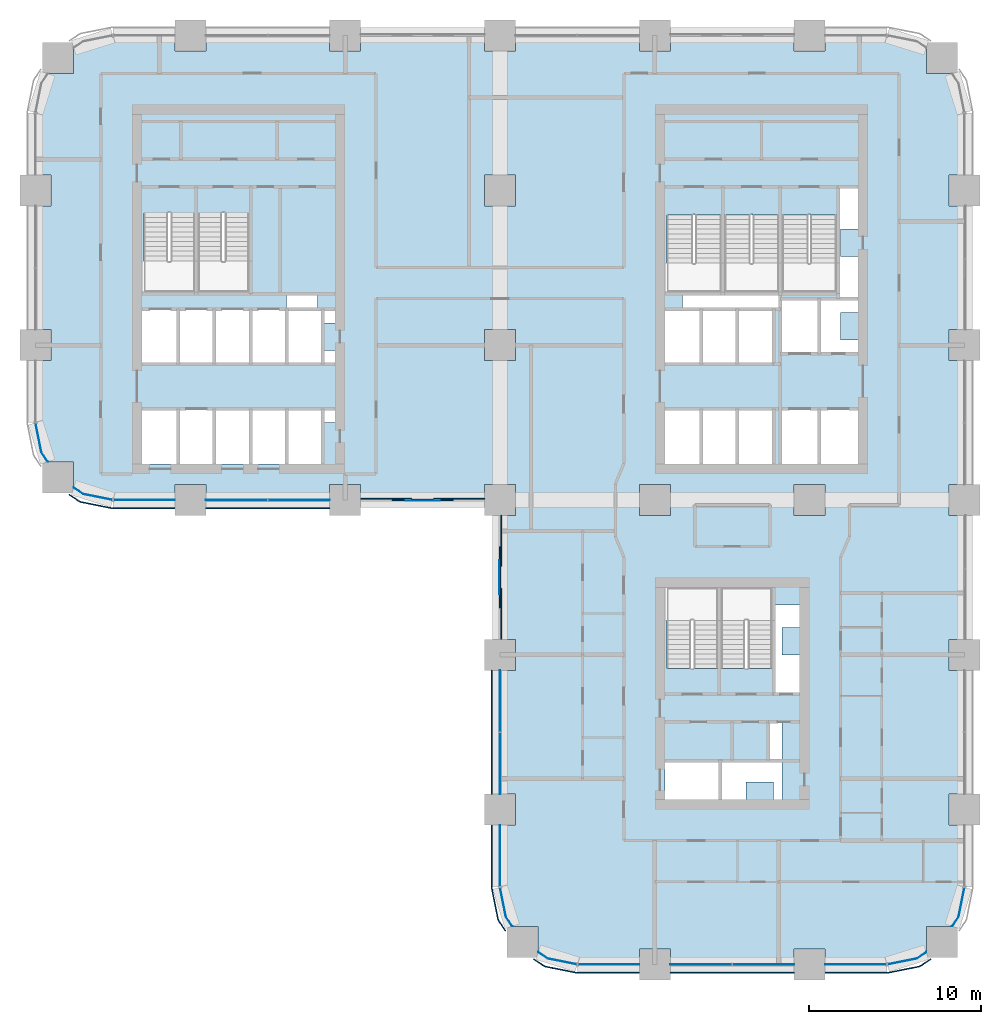
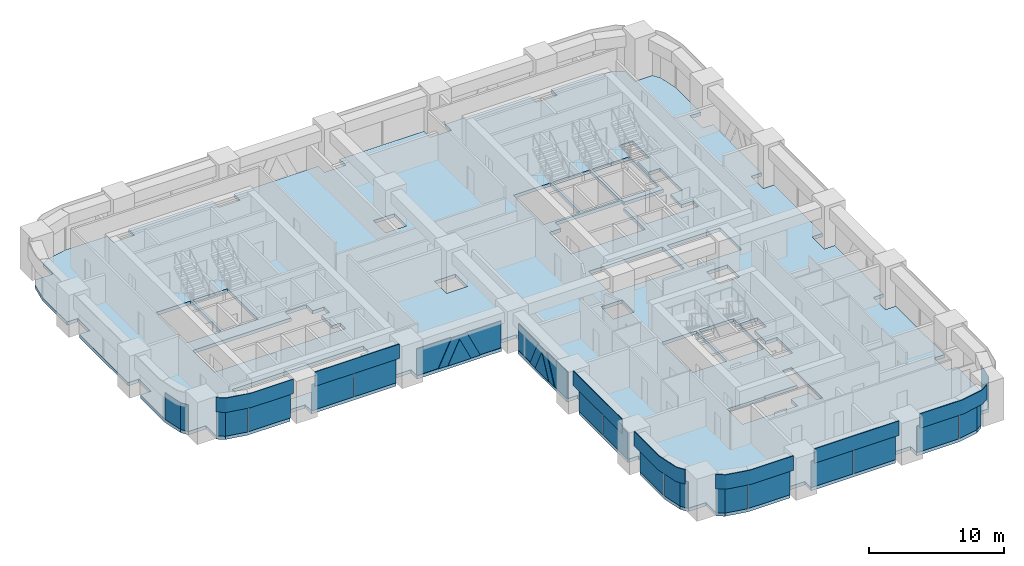
# One storey, part 10 of 24: 31 plates, 1 slab, 11 elements without a shape of their own.
"""IFC4 building model written with IfcOpenShell, lengths in metres."""

from ifc_helpers import new_model, si_unit, direction, frame, origin, origin_2d, place, context, subcontext, project, spatial, polyline, rectangle, outline, extrude, material, layer, layer_set, type_object, element, aggregate, save


model = new_model("IFC4")

# Units and contexts
model_context = context("Model", 3, precision=1e-05, world=origin(), true_north=direction((0.0, 1.0)))
body_context = subcontext(model_context, "Body", "Model", "MODEL_VIEW")
ifc_project = project(units=[si_unit("LENGTHUNIT", "METRE"), si_unit("AREAUNIT", "SQUARE_METRE"), si_unit("VOLUMEUNIT", "CUBIC_METRE"), si_unit("PLANEANGLEUNIT", "RADIAN"), si_unit("MASSUNIT", "GRAM", prefix="KILO")], contexts=[model_context])

# Site, building, storey
site_placement = place(None, origin())
site = spatial("IfcSite", under=ifc_project, at=site_placement, CompositionType="ELEMENT")
building_placement = place(site_placement, origin())
building = spatial("IfcBuilding", under=site, at=building_placement, Name="Tessera Arch", CompositionType="ELEMENT")
storey_placement = place(building_placement, frame((0.0, 0.0, 112.0)))
storey = spatial("IfcBuildingStorey", under=building, at=storey_placement, Name="L26", CompositionType="ELEMENT", Elevation=112.0)

# Curtain wall, plates
ifc_material_1 = material(Name="CW1 curtain wall")
curtain_wall_type_1 = type_object("IfcCurtainWallType", Name="CW1 curtain wall", PredefinedType="NOTDEFINED", material=ifc_material_1)
curtain_wall_1_placement = place(storey_placement, origin())
curtain_wall_1 = element("IfcCurtainWall", 1, at=curtain_wall_1_placement, inside=storey, type_object=curtain_wall_type_1, Name="CW1 curtain wall S27.0/1 L26", PredefinedType="NOTDEFINED")
ifc_material_2 = material(Name="Clear low-e glass", Category="glass")
ifc_material_3 = material(Name="Clear low-e glass", Category="glass")
ifc_layer_1 = layer(ifc_material_3, 0.028076171875)
ifc_layer_set_1 = layer_set([ifc_layer_1], Name="CW1 glass panel")
plate_type_1 = type_object("IfcPlateType", Name="CW1 glass panel", PredefinedType="CURTAIN_PANEL", material=ifc_layer_set_1)
plate_1_placement = place(storey_placement, frame((11.68505859375, 27.0, 0.0), z_axis=(0.0, 0.0, 1.0), x_axis=(1.0, 0.0, 0.0)))
plate_1 = element("IfcPlate", 2, at=plate_1_placement, type_object=plate_type_1, material=ifc_material_2, Name="CW1 glass panel S27.0/1 1.1.1", PredefinedType="CURTAIN_PANEL", context=body_context, shape_type="SweptSolid", body=[
    extrude(rectangle(XDim=3.570068359375, YDim=0.028076171875, at=origin_2d()), origin(), (0.0, 0.0, 1.0), 2.39990234375),
])
plate_2_placement = place(storey_placement, frame((15.31494140625, 27.0, 0.0), z_axis=(0.0, 0.0, 1.0), x_axis=(1.0, 0.0, 0.0)))
plate_2 = element("IfcPlate", 3, at=plate_2_placement, type_object=plate_type_1, material=ifc_material_2, Name="CW1 glass panel S27.0/1 1.2.1", PredefinedType="CURTAIN_PANEL", context=body_context, shape_type="SweptSolid", body=[
    extrude(rectangle(XDim=3.570068359375, YDim=0.028076171875, at=origin_2d()), origin(), (0.0, 0.0, 1.0), 2.39990234375),
])

curtain_wall_2_placement = place(storey_placement, origin())
curtain_wall_2 = element("IfcCurtainWall", 4, at=curtain_wall_2_placement, inside=storey, type_object=curtain_wall_type_1, Name="CW1 curtain wall W27.0/1 L26", PredefinedType="NOTDEFINED")
plate_3_placement = place(storey_placement, frame((27.0, 15.31494140625, 0.0), z_axis=(0.0, 0.0, 1.0), x_axis=(0.0, -1.0, 0.0)))
plate_3 = element("IfcPlate", 5, at=plate_3_placement, type_object=plate_type_1, material=ifc_material_2, Name="CW1 glass panel W27.0/1 1.1.1", PredefinedType="CURTAIN_PANEL", context=body_context, shape_type="SweptSolid", body=[
    extrude(rectangle(XDim=3.570068359375, YDim=0.028076171875, at=origin_2d()), origin(), (0.0, 0.0, 1.0), 2.39990234375),
])
plate_4_placement = place(storey_placement, frame((27.0, 11.68505859375, 0.0), z_axis=(0.0, 0.0, 1.0), x_axis=(0.0, -1.0, 0.0)))
plate_4 = element("IfcPlate", 6, at=plate_4_placement, type_object=plate_type_1, material=ifc_material_2, Name="CW1 glass panel W27.0/1 1.2.1", PredefinedType="CURTAIN_PANEL", context=body_context, shape_type="SweptSolid", body=[
    extrude(rectangle(XDim=3.570068359375, YDim=0.028076171875, at=origin_2d()), origin(), (0.0, 0.0, 1.0), 2.39990234375),
])

curtain_wall_3_placement = place(storey_placement, origin())
curtain_wall_3 = element("IfcCurtainWall", 7, at=curtain_wall_3_placement, inside=storey, type_object=curtain_wall_type_1, Name="CW1 curtain wall S0.27/1 L26", PredefinedType="NOTDEFINED")
plate_5_placement = place(storey_placement, frame((38.68505859375, 0.0, 0.0), z_axis=(0.0, 0.0, 1.0), x_axis=(1.0, 0.0, 0.0)))
plate_5 = element("IfcPlate", 8, at=plate_5_placement, type_object=plate_type_1, material=ifc_material_2, Name="CW1 glass panel S0.27/1 1.1.1", PredefinedType="CURTAIN_PANEL", context=body_context, shape_type="SweptSolid", body=[
    extrude(rectangle(XDim=3.570068359375, YDim=0.028076171875, at=origin_2d()), origin(), (0.0, 0.0, 1.0), 2.39990234375),
])
plate_6_placement = place(storey_placement, frame((42.31494140625, 0.0, 0.0), z_axis=(0.0, 0.0, 1.0), x_axis=(1.0, 0.0, 0.0)))
plate_6 = element("IfcPlate", 9, at=plate_6_placement, type_object=plate_type_1, material=ifc_material_2, Name="CW1 glass panel S0.27/1 1.2.1", PredefinedType="CURTAIN_PANEL", context=body_context, shape_type="SweptSolid", body=[
    extrude(rectangle(XDim=3.570068359375, YDim=0.028076171875, at=origin_2d()), origin(), (0.0, 0.0, 1.0), 2.39990234375),
])

# Plate
ifc_material_4 = material(Name="Pale anodised aluminium panel", Category="aluminium")
ifc_layer_2 = layer(ifc_material_4, 0.06005859375)
ifc_layer_set_2 = layer_set([ifc_layer_2], Name="CW1 spandrel panel")
plate_type_2 = type_object("IfcPlateType", Name="CW1 spandrel panel", PredefinedType="CURTAIN_PANEL", material=ifc_layer_set_2)
plate_7_placement = place(storey_placement, frame((13.5, 26.52001953125, 2.5), z_axis=(0.0, 0.0, 1.0), x_axis=(1.0, 0.0, 0.0)))
plate_7 = element("IfcPlate", 10, at=plate_7_placement, type_object=plate_type_2, Name="CW1 spandrel panel S27.0/1", PredefinedType="CURTAIN_PANEL", context=body_context, shape_type="SweptSolid", body=[
    extrude(rectangle(XDim=7.199951171875, YDim=0.06005859375, at=origin_2d()), origin(), (0.0, 0.0, 1.0), 1.300048828125),
])

aggregate(curtain_wall_1, [plate_1, plate_2, plate_7])

plate_8_placement = place(storey_placement, frame((26.52001953125, 13.5, 2.5), z_axis=(0.0, 0.0, 1.0), x_axis=(0.0, -1.0, 0.0)))
plate_8 = element("IfcPlate", 11, at=plate_8_placement, type_object=plate_type_2, Name="CW1 spandrel panel W27.0/1", PredefinedType="CURTAIN_PANEL", context=body_context, shape_type="SweptSolid", body=[
    extrude(rectangle(XDim=7.199951171875, YDim=0.06005859375, at=origin_2d()), origin(), (0.0, 0.0, 1.0), 1.300048828125),
])

aggregate(curtain_wall_2, [plate_3, plate_4, plate_8])

plate_9_placement = place(storey_placement, frame((40.5, -0.47998046875, 2.5), z_axis=(0.0, 0.0, 1.0), x_axis=(1.0, 0.0, 0.0)))
plate_9 = element("IfcPlate", 12, at=plate_9_placement, type_object=plate_type_2, Name="CW1 spandrel panel S0.27/1", PredefinedType="CURTAIN_PANEL", context=body_context, shape_type="SweptSolid", body=[
    extrude(rectangle(XDim=7.199951171875, YDim=0.06005859375, at=origin_2d()), origin(), (0.0, 0.0, 1.0), 1.300048828125),
])

aggregate(curtain_wall_3, [plate_5, plate_6, plate_9])

# Curtain wall, plate
ifc_material_5 = material(Name="CW2 curtain wall")
curtain_wall_type_2 = type_object("IfcCurtainWallType", Name="CW2 curtain wall", PredefinedType="NOTDEFINED", material=ifc_material_5)
curtain_wall_4_placement = place(storey_placement, origin())
curtain_wall_4 = element("IfcCurtainWall", 13, at=curtain_wall_4_placement, inside=storey, type_object=curtain_wall_type_2, Name="CW2 curtain wall W0.27/2 L26", PredefinedType="NOTDEFINED")
ifc_material_6 = material(Name="Clear low-e glass", Category="glass")
ifc_layer_3 = layer(ifc_material_6, 0.028076171875)
ifc_layer_set_3 = layer_set([ifc_layer_3], Name="CW2 glass panel")
plate_type_3 = type_object("IfcPlateType", Name="CW2 glass panel", PredefinedType="CURTAIN_PANEL", material=ifc_layer_set_3)
plate_10_placement = place(storey_placement, origin())
plate_10 = element("IfcPlate", 14, at=plate_10_placement, type_object=plate_type_3, material=ifc_material_2, Name="CW2 curved glass panel W0.27/2 2.1", PredefinedType="CURTAIN_PANEL", context=body_context, shape_type="SweptSolid", body=[
    extrude(outline(polyline([(0.355712890625, 29.783447265625), (0.021484375, 31.46337890625), (-0.005859375, 31.4580078125), (0.329345703125, 29.7724609375), (0.705078125, 29.210205078125), (0.728271484375, 29.225830078125), (0.355712890625, 29.783447265625)])), origin(), (0.0, 0.0, 1.0), 2.39990234375),
])
aggregate(curtain_wall_4, [plate_10])

# Curtain wall, plates
curtain_wall_5_placement = place(storey_placement, origin())
curtain_wall_5 = element("IfcCurtainWall", 15, at=curtain_wall_5_placement, inside=storey, type_object=curtain_wall_type_2, Name="CW2 curtain wall S27.0/0 L26", PredefinedType="NOTDEFINED")
plate_11_placement = place(storey_placement, frame((6.320068359375, 27.0, 0.0), z_axis=(0.0, 0.0, 1.0), x_axis=(1.0, 0.0, 0.0)))
plate_11 = element("IfcPlate", 16, at=plate_11_placement, type_object=plate_type_3, material=ifc_material_2, Name="CW2 glass panel S27.0/0 1.1", PredefinedType="CURTAIN_PANEL", context=body_context, shape_type="SweptSolid", body=[
    extrude(rectangle(XDim=3.56005859375, YDim=0.028076171875, at=origin_2d()), origin(), (0.0, 0.0, 1.0), 2.39990234375),
])
plate_12_placement = place(storey_placement, origin())
plate_12 = element("IfcPlate", 17, at=plate_12_placement, type_object=plate_type_3, material=ifc_material_2, Name="CW2 curved glass panel S27.0/0 2.1", PredefinedType="CURTAIN_PANEL", context=body_context, shape_type="SweptSolid", body=[
    extrude(outline(polyline([(2.783447265625, 27.355712890625), (2.225830078125, 27.728271484375), (2.210205078125, 27.705078125), (2.7724609375, 27.329345703125), (4.4580078125, 26.994140625), (4.46337890625, 27.021484375), (2.783447265625, 27.355712890625)])), origin(), (0.0, 0.0, 1.0), 2.39990234375),
])

curtain_wall_6_placement = place(storey_placement, origin())
curtain_wall_6 = element("IfcCurtainWall", 18, at=curtain_wall_6_placement, inside=storey, type_object=curtain_wall_type_2, Name="CW2 curtain wall W27.0/2 L26", PredefinedType="NOTDEFINED")
plate_13_placement = place(storey_placement, frame((27.0, 6.320068359375, 0.0), z_axis=(0.0, 0.0, 1.0), x_axis=(0.0, -1.0, 0.0)))
plate_13 = element("IfcPlate", 19, at=plate_13_placement, type_object=plate_type_3, material=ifc_material_2, Name="CW2 glass panel W27.0/2 1.1", PredefinedType="CURTAIN_PANEL", context=body_context, shape_type="SweptSolid", body=[
    extrude(rectangle(XDim=3.56005859375, YDim=0.028076171875, at=origin_2d()), origin(), (0.0, 0.0, 1.0), 2.39990234375),
])
plate_14_placement = place(storey_placement, origin())
plate_14 = element("IfcPlate", 20, at=plate_14_placement, type_object=plate_type_3, material=ifc_material_2, Name="CW2 curved glass panel W27.0/2 2.1", PredefinedType="CURTAIN_PANEL", context=body_context, shape_type="SweptSolid", body=[
    extrude(outline(polyline([(27.355712890625, 2.783447265625), (27.021484375, 4.46337890625), (26.994140625, 4.4580078125), (27.329345703125, 2.7724609375), (27.705078125, 2.210205078125), (27.728271484375, 2.225830078125), (27.355712890625, 2.783447265625)])), origin(), (0.0, 0.0, 1.0), 2.39990234375),
])

curtain_wall_7_placement = place(storey_placement, origin())
curtain_wall_7 = element("IfcCurtainWall", 21, at=curtain_wall_7_placement, inside=storey, type_object=curtain_wall_type_2, Name="CW2 curtain wall S0.27/0 L26", PredefinedType="NOTDEFINED")
plate_15_placement = place(storey_placement, frame((33.320068359375, 0.0, 0.0), z_axis=(0.0, 0.0, 1.0), x_axis=(1.0, 0.0, 0.0)))
plate_15 = element("IfcPlate", 22, at=plate_15_placement, type_object=plate_type_3, material=ifc_material_2, Name="CW2 glass panel S0.27/0 1.1", PredefinedType="CURTAIN_PANEL", context=body_context, shape_type="SweptSolid", body=[
    extrude(rectangle(XDim=3.56005859375, YDim=0.028076171875, at=origin_2d()), origin(), (0.0, 0.0, 1.0), 2.39990234375),
])
plate_16_placement = place(storey_placement, origin())
plate_16 = element("IfcPlate", 23, at=plate_16_placement, type_object=plate_type_3, material=ifc_material_2, Name="CW2 curved glass panel S0.27/0 2.1", PredefinedType="CURTAIN_PANEL", context=body_context, shape_type="SweptSolid", body=[
    extrude(outline(polyline([(29.783447265625, 0.355712890625), (29.225830078125, 0.728271484375), (29.210205078125, 0.705078125), (29.7724609375, 0.329345703125), (31.4580078125, -0.005859375), (31.46337890625, 0.021484375), (29.783447265625, 0.355712890625)])), origin(), (0.0, 0.0, 1.0), 2.39990234375),
])

curtain_wall_8_placement = place(storey_placement, origin())
curtain_wall_8 = element("IfcCurtainWall", 24, at=curtain_wall_8_placement, inside=storey, type_object=curtain_wall_type_2, Name="CW2 curtain wall S0.27/2 L26", PredefinedType="NOTDEFINED")
plate_17_placement = place(storey_placement, frame((47.679931640625, 0.0, 0.0), z_axis=(0.0, 0.0, 1.0), x_axis=(1.0, 0.0, 0.0)))
plate_17 = element("IfcPlate", 25, at=plate_17_placement, type_object=plate_type_3, material=ifc_material_2, Name="CW2 glass panel S0.27/2 1.1", PredefinedType="CURTAIN_PANEL", context=body_context, shape_type="SweptSolid", body=[
    extrude(rectangle(XDim=3.56005859375, YDim=0.028076171875, at=origin_2d()), origin(), (0.0, 0.0, 1.0), 2.39990234375),
])
plate_18_placement = place(storey_placement, origin())
plate_18 = element("IfcPlate", 26, at=plate_18_placement, type_object=plate_type_3, material=ifc_material_2, Name="CW2 curved glass panel S0.27/2 2.1", PredefinedType="CURTAIN_PANEL", context=body_context, shape_type="SweptSolid", body=[
    extrude(outline(polyline([(51.216552734375, 0.355712890625), (49.53662109375, 0.021484375), (49.5419921875, -0.005859375), (51.2275390625, 0.329345703125), (51.789794921875, 0.705078125), (51.774169921875, 0.728271484375), (51.216552734375, 0.355712890625)])), origin(), (0.0, 0.0, 1.0), 2.39990234375),
])

# Curtain wall, plate
curtain_wall_9_placement = place(storey_placement, origin())
curtain_wall_9 = element("IfcCurtainWall", 27, at=curtain_wall_9_placement, inside=storey, type_object=curtain_wall_type_2, Name="CW2 curtain wall E54.0/0 L26", PredefinedType="NOTDEFINED")
plate_19_placement = place(storey_placement, origin())
plate_19 = element("IfcPlate", 28, at=plate_19_placement, type_object=plate_type_3, material=ifc_material_2, Name="CW2 curved glass panel E54.0/0 2.1", PredefinedType="CURTAIN_PANEL", context=body_context, shape_type="SweptSolid", body=[
    extrude(outline(polyline([(53.644287109375, 2.783447265625), (53.271728515625, 2.225830078125), (53.294921875, 2.210205078125), (53.670654296875, 2.7724609375), (54.005859375, 4.4580078125), (53.978515625, 4.46337890625), (53.644287109375, 2.783447265625)])), origin(), (0.0, 0.0, 1.0), 2.39990234375),
])
aggregate(curtain_wall_9, [plate_19])

# Plate
ifc_material_7 = material(Name="Pale anodised aluminium panel", Category="aluminium")
ifc_layer_4 = layer(ifc_material_7, 0.06005859375)
ifc_layer_set_4 = layer_set([ifc_layer_4], Name="CW2 spandrel panel")
plate_type_4 = type_object("IfcPlateType", Name="CW2 spandrel panel", PredefinedType="CURTAIN_PANEL", material=ifc_layer_set_4)
plate_20_placement = place(storey_placement, frame((0.0, 0.0, 2.5)))
plate_20 = element("IfcPlate", 29, at=plate_20_placement, type_object=plate_type_4, Name="CW2 spandrel panel S27.0/0", PredefinedType="CURTAIN_PANEL", context=body_context, shape_type="SweptSolid", body=[
    extrude(outline(polyline([(2.52734375, 26.96875), (1.968017578125, 27.342529296875), (1.9345703125, 27.292724609375), (2.4951171875, 26.91796875), (2.537353515625, 26.892822265625), (2.582763671875, 26.871337890625), (2.6298828125, 26.8544921875), (2.677734375, 26.842529296875), (4.401123046875, 26.499755859375), (4.449951171875, 26.492431640625), (4.499267578125, 26.489990234375), (8.10009765625, 26.489990234375), (8.10009765625, 26.550048828125), (4.500732421875, 26.550048828125), (4.455810546875, 26.55224609375), (4.411376953125, 26.558837890625), (2.69091796875, 26.90087890625), (2.647216796875, 26.911865234375), (2.605712890625, 26.9267578125), (2.565673828125, 26.94580078125), (2.52734375, 26.96875)])), origin(), (0.0, 0.0, 1.0), 1.300048828125),
])

aggregate(curtain_wall_5, [plate_11, plate_12, plate_20])

plate_21_placement = place(storey_placement, frame((0.0, 0.0, 2.5)))
plate_21 = element("IfcPlate", 30, at=plate_21_placement, type_object=plate_type_4, Name="CW2 spandrel panel W27.0/2", PredefinedType="CURTAIN_PANEL", context=body_context, shape_type="SweptSolid", body=[
    extrude(outline(polyline([(26.550048828125, 4.500732421875), (26.550048828125, 8.10009765625), (26.489990234375, 8.10009765625), (26.489990234375, 4.499267578125), (26.492431640625, 4.449951171875), (26.499755859375, 4.401123046875), (26.842529296875, 2.677734375), (26.8544921875, 2.6298828125), (26.871337890625, 2.582763671875), (26.892822265625, 2.537353515625), (26.91796875, 2.4951171875), (27.292724609375, 1.9345703125), (27.342529296875, 1.968017578125), (26.96875, 2.52734375), (26.94580078125, 2.565673828125), (26.9267578125, 2.605712890625), (26.911865234375, 2.647216796875), (26.90087890625, 2.69091796875), (26.558837890625, 4.411376953125), (26.55224609375, 4.455810546875), (26.550048828125, 4.500732421875)])), origin(), (0.0, 0.0, 1.0), 1.300048828125),
])

aggregate(curtain_wall_6, [plate_13, plate_14, plate_21])

plate_22_placement = place(storey_placement, frame((0.0, 0.0, 2.5)))
plate_22 = element("IfcPlate", 31, at=plate_22_placement, type_object=plate_type_4, Name="CW2 spandrel panel S0.27/0", PredefinedType="CURTAIN_PANEL", context=body_context, shape_type="SweptSolid", body=[
    extrude(outline(polyline([(29.52734375, -0.03125), (28.968017578125, 0.342529296875), (28.9345703125, 0.292724609375), (29.4951171875, -0.08203125), (29.537353515625, -0.107177734375), (29.582763671875, -0.128662109375), (29.6298828125, -0.1455078125), (29.677734375, -0.157470703125), (31.401123046875, -0.500244140625), (31.449951171875, -0.507568359375), (31.499267578125, -0.510009765625), (35.10009765625, -0.510009765625), (35.10009765625, -0.449951171875), (31.500732421875, -0.449951171875), (31.455810546875, -0.44775390625), (31.411376953125, -0.441162109375), (29.69091796875, -0.09912109375), (29.647216796875, -0.088134765625), (29.605712890625, -0.0732421875), (29.565673828125, -0.05419921875), (29.52734375, -0.03125)])), origin(), (0.0, 0.0, 1.0), 1.300048828125),
])

aggregate(curtain_wall_7, [plate_15, plate_16, plate_22])

plate_23_placement = place(storey_placement, frame((0.0, 0.0, 2.5)))
plate_23 = element("IfcPlate", 32, at=plate_23_placement, type_object=plate_type_4, Name="CW2 spandrel panel S0.27/2", PredefinedType="CURTAIN_PANEL", context=body_context, shape_type="SweptSolid", body=[
    extrude(outline(polyline([(49.499267578125, -0.449951171875), (45.89990234375, -0.449951171875), (45.89990234375, -0.510009765625), (49.500732421875, -0.510009765625), (49.550048828125, -0.507568359375), (49.598876953125, -0.500244140625), (51.322265625, -0.157470703125), (51.3701171875, -0.1455078125), (51.417236328125, -0.128662109375), (51.462646484375, -0.107177734375), (51.5048828125, -0.08203125), (52.0654296875, 0.292724609375), (52.031982421875, 0.342529296875), (51.47265625, -0.03125), (51.434326171875, -0.05419921875), (51.394287109375, -0.0732421875), (51.352783203125, -0.088134765625), (51.30908203125, -0.09912109375), (49.588623046875, -0.441162109375), (49.544189453125, -0.44775390625), (49.499267578125, -0.449951171875)])), origin(), (0.0, 0.0, 1.0), 1.300048828125),
])

aggregate(curtain_wall_8, [plate_17, plate_18, plate_23])

# Curtain wall, plates
ifc_material_8 = material(Name="CW3 curtain wall")
curtain_wall_type_3 = type_object("IfcCurtainWallType", Name="CW3 curtain wall", PredefinedType="NOTDEFINED", material=ifc_material_8)
curtain_wall_10_placement = place(storey_placement, origin())
curtain_wall_10 = element("IfcCurtainWall", 33, at=curtain_wall_10_placement, inside=storey, type_object=curtain_wall_type_3, Name="CW3 curtain wall S27.0/2 L26", PredefinedType="NOTDEFINED")
ifc_material_9 = material(Name="Pale anodised aluminium panel", Category="aluminium")
ifc_layer_5 = layer(ifc_material_9, 0.06005859375)
ifc_layer_set_5 = layer_set([ifc_layer_5], Name="CW3 diagonal panel")
plate_type_5 = type_object("IfcPlateType", Name="CW3 diagonal panel", PredefinedType="CURTAIN_PANEL", material=ifc_layer_set_5)
plate_24_placement = place(storey_placement, frame((23.14013671875, 26.969970703125, 2.39990234375), z_axis=(0.0, -1.0, 0.0), x_axis=(-1.0, 0.0, 0.0)))
plate_24 = element("IfcPlate", 34, at=plate_24_placement, type_object=plate_type_5, Name="CW3 diagonal panel S27.0/2 1", PredefinedType="CURTAIN_PANEL", context=body_context, shape_type="SweptSolid", body=[
    extrude(outline(polyline([(0.0, 0.0), (1.2802734375, 0.0), (2.43212890625, 2.39990234375), (1.632080078125, 2.39990234375), (0.64013671875, 0.33349609375), (-0.351806640625, 2.39990234375), (-1.15185546875, 2.39990234375), (0.0, 0.0)])), origin(), (0.0, 0.0, -1.0), 0.06005859375),
])
plate_25_placement = place(storey_placement, frame((18.89990234375, 27.030029296875, 0.0), z_axis=(0.0, -1.0, 0.0), x_axis=(1.0, 0.0, 0.0)))
plate_25 = element("IfcPlate", 35, at=plate_25_placement, type_object=plate_type_5, Name="CW3 diagonal panel S27.0/2 2", PredefinedType="CURTAIN_PANEL", context=body_context, shape_type="SweptSolid", body=[
    extrude(outline(polyline([(0.0, 0.0), (1.80810546875, 0.0), (2.9599609375, 2.39990234375), (0.0, 2.39990234375), (0.0, 0.0)])), origin(), (0.0, 0.0, -1.0), 0.06005859375),
])
plate_26_placement = place(storey_placement, frame((26.10009765625, 27.030029296875, 2.39990234375), z_axis=(0.0, -1.0, 0.0), x_axis=(-1.0, 0.0, 0.0)))
plate_26 = element("IfcPlate", 36, at=plate_26_placement, type_object=plate_type_5, Name="CW3 diagonal panel S27.0/2 3", PredefinedType="CURTAIN_PANEL", context=body_context, shape_type="SweptSolid", body=[
    extrude(outline(polyline([(0.0, 0.0), (2.9599609375, 0.0), (1.80810546875, 2.39990234375), (0.0, 2.39990234375), (0.0, 0.0)])), origin(), (0.0, 0.0, -1.0), 0.06005859375),
])

curtain_wall_11_placement = place(storey_placement, origin())
curtain_wall_11 = element("IfcCurtainWall", 37, at=curtain_wall_11_placement, inside=storey, type_object=curtain_wall_type_3, Name="CW3 curtain wall W27.0/0 L26", PredefinedType="NOTDEFINED")
plate_27_placement = place(storey_placement, frame((26.969970703125, 21.85986328125, 2.39990234375), z_axis=(-1.0, 0.0, 0.0), x_axis=(0.0, 1.0, 0.0)))
plate_27 = element("IfcPlate", 38, at=plate_27_placement, type_object=plate_type_5, Name="CW3 diagonal panel W27.0/0 1", PredefinedType="CURTAIN_PANEL", context=body_context, shape_type="SweptSolid", body=[
    extrude(outline(polyline([(0.0, 0.0), (1.2802734375, 0.0), (2.43212890625, 2.39990234375), (1.632080078125, 2.39990234375), (0.64013671875, 0.33349609375), (-0.351806640625, 2.39990234375), (-1.15185546875, 2.39990234375), (0.0, 0.0)])), origin(), (0.0, 0.0, -1.0), 0.06005859375),
])
plate_28_placement = place(storey_placement, frame((27.030029296875, 26.10009765625, 0.0), z_axis=(-1.0, 0.0, 0.0), x_axis=(0.0, -1.0, 0.0)))
plate_28 = element("IfcPlate", 39, at=plate_28_placement, type_object=plate_type_5, Name="CW3 diagonal panel W27.0/0 2", PredefinedType="CURTAIN_PANEL", context=body_context, shape_type="SweptSolid", body=[
    extrude(outline(polyline([(0.0, 0.0), (1.80810546875, 0.0), (2.9599609375, 2.39990234375), (0.0, 2.39990234375), (0.0, 0.0)])), origin(), (0.0, 0.0, -1.0), 0.06005859375),
])
plate_29_placement = place(storey_placement, frame((27.030029296875, 18.89990234375, 2.39990234375), z_axis=(-1.0, 0.0, 0.0), x_axis=(0.0, 1.0, 0.0)))
plate_29 = element("IfcPlate", 40, at=plate_29_placement, type_object=plate_type_5, Name="CW3 diagonal panel W27.0/0 3", PredefinedType="CURTAIN_PANEL", context=body_context, shape_type="SweptSolid", body=[
    extrude(outline(polyline([(0.0, 0.0), (2.9599609375, 0.0), (1.80810546875, 2.39990234375), (0.0, 2.39990234375), (0.0, 0.0)])), origin(), (0.0, 0.0, -1.0), 0.06005859375),
])

# Plate
ifc_material_10 = material(Name="Clear low-e glass", Category="glass")
ifc_layer_6 = layer(ifc_material_10, 0.028076171875)
ifc_layer_set_6 = layer_set([ifc_layer_6], Name="CW3 glass panel")
plate_type_6 = type_object("IfcPlateType", Name="CW3 glass panel", PredefinedType="CURTAIN_PANEL", material=ifc_layer_set_6)
plate_30_placement = place(storey_placement, frame((21.508056640625, 26.94189453125, 0.0), z_axis=(0.0, -1.0, 0.0), x_axis=(1.0, 0.0, 0.0)))
plate_30 = element("IfcPlate", 41, at=plate_30_placement, type_object=plate_type_6, material=ifc_material_2, Name="CW3 triangulated glass panel S27.0/2 1", PredefinedType="CURTAIN_PANEL", context=body_context, shape_type="SweptSolid", body=[
    extrude(outline(polyline([(0.0, 0.0), (1.98388671875, 0.0), (0.991943359375, 2.06640625), (0.0, 0.0)])), origin(), (0.0, 0.0, -1.0), 0.028076171875),
])

aggregate(curtain_wall_10, [plate_30, plate_24, plate_25, plate_26])

plate_31_placement = place(storey_placement, frame((26.94189453125, 23.491943359375, 0.0), z_axis=(-1.0, 0.0, 0.0), x_axis=(0.0, -1.0, 0.0)))
plate_31 = element("IfcPlate", 42, at=plate_31_placement, type_object=plate_type_6, material=ifc_material_2, Name="CW3 triangulated glass panel W27.0/0 1", PredefinedType="CURTAIN_PANEL", context=body_context, shape_type="SweptSolid", body=[
    extrude(outline(polyline([(0.0, 0.0), (1.98388671875, 0.0), (0.991943359375, 2.06640625), (0.0, 0.0)])), origin(), (0.0, 0.0, -1.0), 0.028076171875),
])

aggregate(curtain_wall_11, [plate_31, plate_27, plate_28, plate_29])

# Slab
ifc_material_11 = material(Name="Concrete C40/50", Category="concrete")
ifc_layer_7 = layer(ifc_material_11, 0.300048828125)
ifc_layer_set_7 = layer_set([ifc_layer_7], Name="Floor slab 300 Concrete C40/50")
slab_type = type_object("IfcSlabType", Name="Floor slab 300 Concrete C40/50", PredefinedType="FLOOR", material=ifc_layer_set_7)
slab_placement = place(storey_placement, frame((0.0, 0.0, -0.300048828125)))
element("IfcSlab", 43, at=slab_placement, inside=storey, type_object=slab_type, Name="Floor slab L26 1", PredefinedType="FLOOR", context=body_context, shape_type="SweptSolid", body=[
    extrude(outline(polyline([(49.5, 54.0), (51.22216796875, 53.657470703125), (51.781982421875, 53.283447265625), (51.781982421875, 51.781982421875), (53.283447265625, 51.781982421875), (53.657470703125, 51.22216796875), (54.0, 49.5), (54.0, 45.89990234375), (53.10009765625, 45.89990234375), (53.10009765625, 44.10009765625), (54.0, 44.10009765625), (54.0, 36.89990234375), (53.10009765625, 36.89990234375), (53.10009765625, 35.10009765625), (54.0, 35.10009765625), (54.0, 27.89990234375), (53.10009765625, 27.89990234375), (53.10009765625, 26.10009765625), (54.0, 26.10009765625), (54.0, 18.89990234375), (53.10009765625, 18.89990234375), (53.10009765625, 17.10009765625), (54.0, 17.10009765625), (54.0, 9.89990234375), (53.10009765625, 9.89990234375), (53.10009765625, 8.10009765625), (54.0, 8.10009765625), (54.0, 4.5), (53.657470703125, 2.77783203125), (53.283447265625, 2.218017578125), (51.781982421875, 2.218017578125), (51.781982421875, 0.716552734375), (51.22216796875, 0.342529296875), (49.5, 0.0), (45.89990234375, 0.0), (45.89990234375, 0.89990234375), (44.10009765625, 0.89990234375), (44.10009765625, 0.0), (36.89990234375, 0.0), (36.89990234375, 0.89990234375), (35.10009765625, 0.89990234375), (35.10009765625, 0.0), (31.5, 0.0), (29.77783203125, 0.342529296875), (29.218017578125, 0.716552734375), (29.218017578125, 2.218017578125), (27.716552734375, 2.218017578125), (27.342529296875, 2.77783203125), (27.0, 4.5), (27.0, 8.10009765625), (27.89990234375, 8.10009765625), (27.89990234375, 9.89990234375), (27.0, 9.89990234375), (27.0, 17.10009765625), (27.89990234375, 17.10009765625), (27.89990234375, 18.89990234375), (27.0, 18.89990234375), (27.0, 26.10009765625), (27.89990234375, 26.10009765625), (27.89990234375, 27.89990234375), (26.10009765625, 27.89990234375), (26.10009765625, 27.0), (18.89990234375, 27.0), (18.89990234375, 27.89990234375), (17.10009765625, 27.89990234375), (17.10009765625, 27.0), (9.89990234375, 27.0), (9.89990234375, 27.89990234375), (8.10009765625, 27.89990234375), (8.10009765625, 27.0), (4.5, 27.0), (2.77783203125, 27.342529296875), (2.218017578125, 27.716552734375), (2.218017578125, 29.218017578125), (0.716552734375, 29.218017578125), (0.342529296875, 29.77783203125), (0.0, 31.5), (0.0, 35.10009765625), (0.89990234375, 35.10009765625), (0.89990234375, 36.89990234375), (0.0, 36.89990234375), (0.0, 44.10009765625), (0.89990234375, 44.10009765625), (0.89990234375, 45.89990234375), (0.0, 45.89990234375), (0.0, 49.5), (0.342529296875, 51.22216796875), (0.716552734375, 51.781982421875), (2.218017578125, 51.781982421875), (2.218017578125, 53.283447265625), (2.77783203125, 53.657470703125), (4.5, 54.0), (8.10009765625, 54.0), (8.10009765625, 53.10009765625), (9.89990234375, 53.10009765625), (9.89990234375, 54.0), (17.10009765625, 54.0), (17.10009765625, 53.10009765625), (18.89990234375, 53.10009765625), (18.89990234375, 54.0), (26.10009765625, 54.0), (26.10009765625, 53.10009765625), (27.89990234375, 53.10009765625), (27.89990234375, 54.0), (35.10009765625, 54.0), (35.10009765625, 53.10009765625), (36.89990234375, 53.10009765625), (36.89990234375, 54.0), (44.10009765625, 54.0), (44.10009765625, 53.10009765625), (45.89990234375, 53.10009765625), (45.89990234375, 54.0), (49.5, 54.0)]), holes=[polyline([(6.199951171875, 32.300048828125), (6.199951171875, 29.10009765625), (8.300048828125, 29.10009765625), (10.39990234375, 29.10009765625), (12.5, 29.10009765625), (14.60009765625, 29.10009765625), (16.699951171875, 29.10009765625), (16.699951171875, 31.5), (17.39990234375, 31.5), (17.39990234375, 32.300048828125), (16.699951171875, 32.300048828125), (14.60009765625, 32.300048828125), (12.5, 32.300048828125), (10.39990234375, 32.300048828125), (8.300048828125, 32.300048828125), (6.199951171875, 32.300048828125)]), polyline([(14.60009765625, 34.89990234375), (16.699951171875, 34.89990234375), (17.39990234375, 34.89990234375), (17.39990234375, 35.699951171875), (16.699951171875, 35.699951171875), (16.699951171875, 37.300048828125), (17.39990234375, 37.300048828125), (17.39990234375, 38.10009765625), (16.699951171875, 38.10009765625), (16.39990234375, 38.10009765625), (16.39990234375, 39.0), (14.60009765625, 39.0), (14.60009765625, 38.10009765625), (12.5, 38.10009765625), (10.39990234375, 38.10009765625), (8.300048828125, 38.10009765625), (6.199951171875, 38.10009765625), (6.199951171875, 34.89990234375), (8.300048828125, 34.89990234375), (10.39990234375, 34.89990234375), (12.5, 34.89990234375), (14.60009765625, 34.89990234375)]), polyline([(11.0, 43.699951171875), (10.85009765625, 43.699951171875), (10.85009765625, 43.68994140625), (9.449951171875, 43.68994140625), (9.449951171875, 39.199951171875), (12.39990234375, 39.199951171875), (12.39990234375, 43.68994140625), (11.0, 43.68994140625), (11.0, 43.699951171875)]), polyline([(7.85009765625, 43.699951171875), (7.699951171875, 43.699951171875), (7.699951171875, 43.68994140625), (6.300048828125, 43.68994140625), (6.300048828125, 39.199951171875), (9.25, 39.199951171875), (9.25, 43.68994140625), (7.85009765625, 43.68994140625), (7.85009765625, 43.699951171875)]), polyline([(43.39990234375, 9.60009765625), (43.39990234375, 11.89990234375), (43.39990234375, 14.10009765625), (42.60009765625, 14.10009765625), (42.60009765625, 11.89990234375), (39.800048828125, 11.89990234375), (39.800048828125, 11.85009765625), (36.60009765625, 11.85009765625), (36.60009765625, 9.60009765625), (39.800048828125, 9.60009765625), (41.300048828125, 9.60009765625), (41.300048828125, 10.60009765625), (42.89990234375, 10.60009765625), (42.89990234375, 9.60009765625), (43.39990234375, 9.60009765625)]), polyline([(41.25, 17.199951171875), (41.39990234375, 17.199951171875), (41.39990234375, 17.2099609375), (42.800048828125, 17.2099609375), (42.800048828125, 21.699951171875), (39.85009765625, 21.699951171875), (39.85009765625, 17.2099609375), (41.25, 17.2099609375), (41.25, 17.199951171875)]), polyline([(38.10009765625, 17.199951171875), (38.25, 17.199951171875), (38.25, 17.2099609375), (39.64990234375, 17.2099609375), (39.64990234375, 21.699951171875), (36.699951171875, 21.699951171875), (36.699951171875, 17.2099609375), (38.10009765625, 17.2099609375), (38.10009765625, 17.199951171875)]), polyline([(35.10009765625, 26.10009765625), (36.89990234375, 26.10009765625), (36.89990234375, 27.89990234375), (35.10009765625, 27.89990234375), (35.10009765625, 26.10009765625)]), polyline([(38.699951171875, 29.10009765625), (40.800048828125, 29.10009765625), (42.89990234375, 29.10009765625), (42.89990234375, 32.300048828125), (40.800048828125, 32.300048828125), (38.699951171875, 32.300048828125), (36.60009765625, 32.300048828125), (36.60009765625, 29.10009765625), (38.699951171875, 29.10009765625)]), polyline([(26.10009765625, 35.10009765625), (27.89990234375, 35.10009765625), (27.89990234375, 36.89990234375), (26.10009765625, 36.89990234375), (26.10009765625, 35.10009765625)]), polyline([(43.300048828125, 39.0), (37.60009765625, 39.0), (37.60009765625, 38.10009765625), (36.60009765625, 38.10009765625), (36.60009765625, 34.89990234375), (38.699951171875, 34.89990234375), (40.800048828125, 34.89990234375), (42.89990234375, 34.89990234375), (42.89990234375, 38.10009765625), (43.300048828125, 38.10009765625), (43.300048828125, 35.5), (45.550048828125, 35.5), (47.800048828125, 35.5), (47.800048828125, 36.300048828125), (46.800048828125, 36.300048828125), (46.800048828125, 37.89990234375), (47.800048828125, 37.89990234375), (47.800048828125, 38.699951171875), (47.800048828125, 41.14990234375), (46.800048828125, 41.14990234375), (46.800048828125, 42.75), (47.800048828125, 42.75), (47.800048828125, 45.199951171875), (46.64990234375, 45.199951171875), (46.64990234375, 38.699951171875), (45.550048828125, 38.699951171875), (43.300048828125, 38.699951171875), (43.300048828125, 39.0)]), polyline([(38.330078125, 43.580078125), (38.219970703125, 43.580078125), (38.219970703125, 43.570068359375), (36.699951171875, 43.570068359375), (36.699951171875, 39.199951171875), (39.85009765625, 39.199951171875), (39.85009765625, 43.570068359375), (38.330078125, 43.570068359375), (38.330078125, 43.580078125)]), polyline([(26.10009765625, 44.10009765625), (27.89990234375, 44.10009765625), (27.89990234375, 45.89990234375), (26.10009765625, 45.89990234375), (26.10009765625, 44.10009765625)]), polyline([(42.89990234375, 15.699951171875), (44.39990234375, 15.699951171875), (44.39990234375, 18.0), (43.39990234375, 18.0), (43.39990234375, 19.60009765625), (44.39990234375, 19.60009765625), (44.39990234375, 20.89990234375), (42.89990234375, 20.89990234375), (42.89990234375, 15.699951171875)]), polyline([(44.10009765625, 26.10009765625), (45.89990234375, 26.10009765625), (45.89990234375, 27.89990234375), (44.10009765625, 27.89990234375), (44.10009765625, 26.10009765625)]), polyline([(45.550048828125, 29.10009765625), (47.800048828125, 29.10009765625), (47.800048828125, 32.300048828125), (45.550048828125, 32.300048828125), (43.300048828125, 32.300048828125), (43.300048828125, 29.10009765625), (45.550048828125, 29.10009765625)]), polyline([(45.030029296875, 43.580078125), (44.919921875, 43.580078125), (44.919921875, 43.570068359375), (43.39990234375, 43.570068359375), (43.39990234375, 39.199951171875), (46.550048828125, 39.199951171875), (46.550048828125, 43.570068359375), (45.030029296875, 43.570068359375), (45.030029296875, 43.580078125)]), polyline([(41.679931640625, 43.580078125), (41.570068359375, 43.580078125), (41.570068359375, 43.570068359375), (40.050048828125, 43.570068359375), (40.050048828125, 39.199951171875), (43.199951171875, 39.199951171875), (43.199951171875, 43.570068359375), (41.679931640625, 43.570068359375), (41.679931640625, 43.580078125)])]), origin(), (0.0, 0.0, 1.0), 0.300048828125),
])

save(model, "model.ifc")
